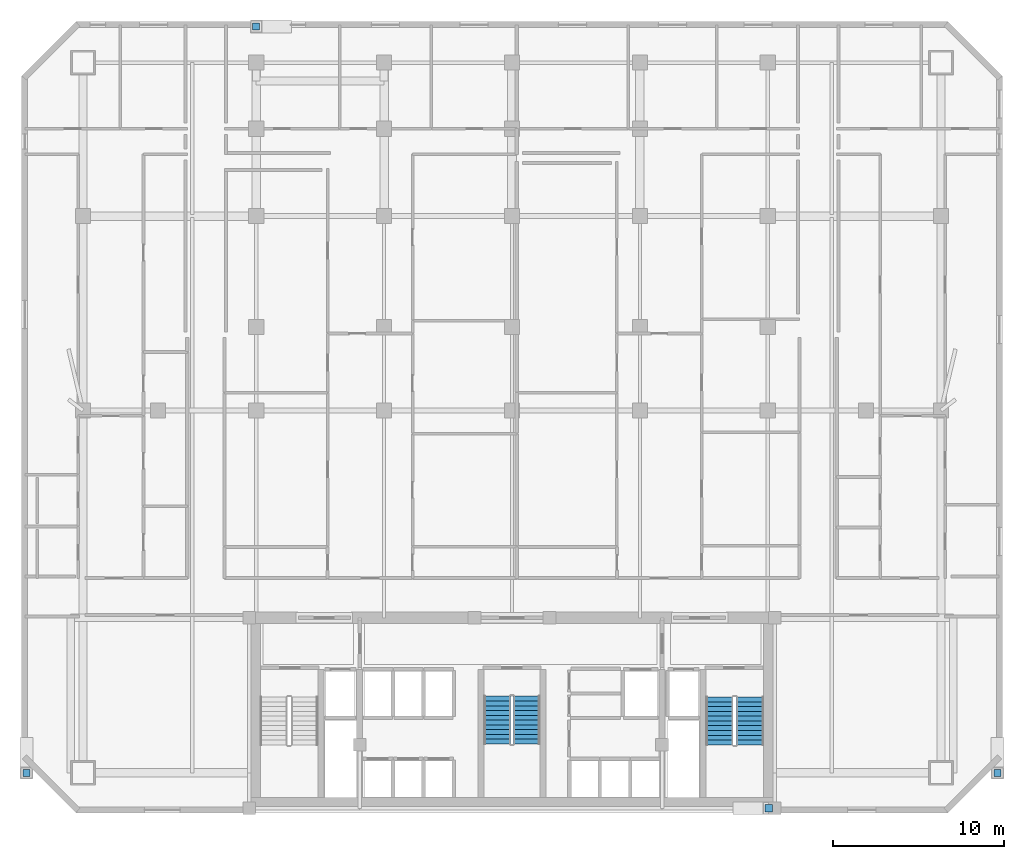
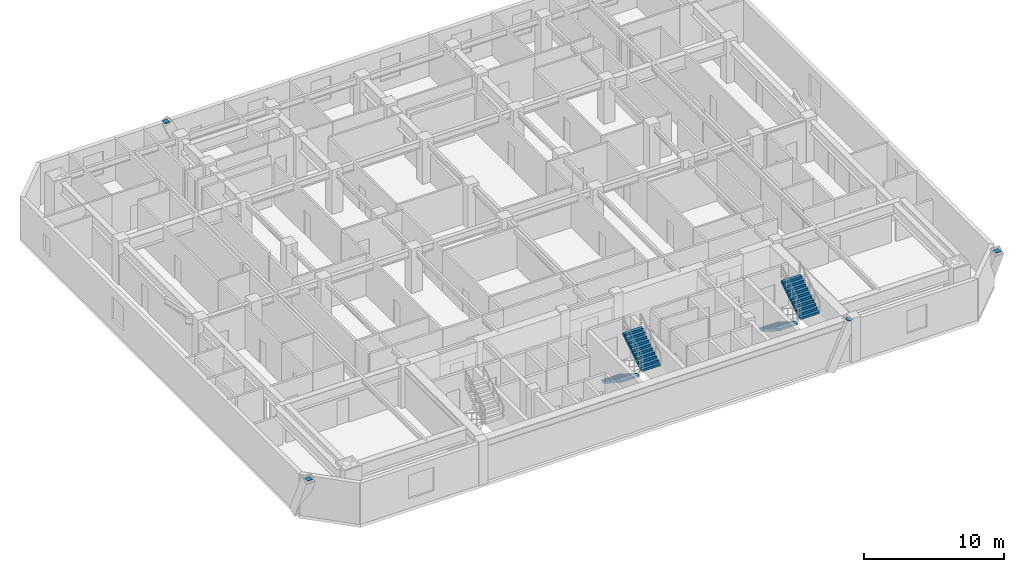
# One storey, part 9 of 10: 4 discrete accessories, 4 stair flights, 2 elements without a shape of their own.
"""IFC4 building model written with IfcOpenShell, lengths in metres."""

from ifc_helpers import new_model, si_unit, direction, frame, origin, origin_2d, place, context, subcontext, project, spatial, polyline, rectangle, outline, extrude, material, type_object, element, aggregate, save


model = new_model("IFC4")

# Units and contexts
model_context = context("Model", 3, precision=1e-05, world=origin(), true_north=direction((0.0, 1.0)))
body_context = subcontext(model_context, "Body", "Model", "MODEL_VIEW")
ifc_project = project(units=[si_unit("LENGTHUNIT", "METRE"), si_unit("AREAUNIT", "SQUARE_METRE"), si_unit("VOLUMEUNIT", "CUBIC_METRE"), si_unit("PLANEANGLEUNIT", "RADIAN"), si_unit("MASSUNIT", "GRAM", prefix="KILO")], contexts=[model_context])

# Site, building, storey
site_placement = place(None, origin())
site = spatial("IfcSite", under=ifc_project, at=site_placement, CompositionType="ELEMENT")
building_placement = place(site_placement, origin())
building = spatial("IfcBuilding", under=site, at=building_placement, Name="Ventersveld Concourse Tower", CompositionType="ELEMENT")
storey_placement = place(building_placement, frame((0.0, 0.0, 88.75)))
storey = spatial("IfcBuildingStorey", under=building, at=storey_placement, Name="L21", CompositionType="ELEMENT", Elevation=88.75)

# Stair, stair flights
ifc_material_1 = material(Name="Concrete C50/60", Category="concrete")
stair_type_1 = type_object("IfcStairType", Name="ST-DOG-155", PredefinedType="HALF_TURN_STAIR", material=ifc_material_1)
stair_1_placement = place(storey_placement, origin())
stair_1 = element("IfcStair", 1, at=stair_1_placement, inside=storey, type_object=stair_type_1, Name="L21 Protected Central Core Escape Stair ST-03", PredefinedType="HALF_TURN_STAIR")
stair_flight_type_1 = type_object("IfcStairFlightType", Name="STF-RC-155", PredefinedType="STRAIGHT", material=ifc_material_1)
stair_flight_1_placement = place(storey_placement, frame((27.875, 6.85009765625, 0.0), z_axis=(0.0, 0.0, 1.0), x_axis=(0.0, -1.0, 0.0)))
stair_flight_1 = element("IfcStairFlight", 2, at=stair_flight_1_placement, type_object=stair_flight_type_1, Name="ST-03 flight 1", NumberOfRisers=11, NumberOfTreads=10, PredefinedType="STRAIGHT", RiserHeight=0.175, TreadLength=0.28, context=body_context, shape_type="SweptSolid", body=[
    extrude(outline(polyline([(0.0, 0.0), (0.0, 0.175048828125), (0.280029296875, 0.175048828125), (0.280029296875, 0.35009765625), (0.56005859375, 0.35009765625), (0.56005859375, 0.52490234375), (0.840087890625, 0.52490234375), (0.840087890625, 0.699951171875), (1.1201171875, 0.699951171875), (1.1201171875, 0.875), (1.39990234375, 0.875), (1.39990234375, 1.050048828125), (1.679931640625, 1.050048828125), (1.679931640625, 1.22509765625), (1.9599609375, 1.22509765625), (1.9599609375, 1.39990234375), (2.239990234375, 1.39990234375), (2.239990234375, 1.574951171875), (2.52001953125, 1.574951171875), (2.52001953125, 1.75), (2.800048828125, 1.75), (2.800048828125, 1.925048828125), (2.800048828125, 1.5732421875), (0.28271484375, 0.0), (0.0, 0.0)])), frame((0.0, 0.77490234375, 0.0), z_axis=(0.0, -1.0, 0.0), x_axis=(1.0, 0.0, 0.0)), (0.0, 0.0, 1.0), 1.550048828125),
])
stair_flight_2_placement = place(storey_placement, frame((29.625, 4.050048828125, 1.925048828125), z_axis=(0.0, 0.0, 1.0), x_axis=(0.0, 1.0, 0.0)))
stair_flight_2 = element("IfcStairFlight", 3, at=stair_flight_2_placement, type_object=stair_flight_type_1, Name="ST-03 flight 2", NumberOfRisers=11, NumberOfTreads=10, PredefinedType="STRAIGHT", RiserHeight=0.175, TreadLength=0.28, context=body_context, shape_type="SweptSolid", body=[
    extrude(outline(polyline([(0.0, 0.0), (0.0, 0.175048828125), (0.280029296875, 0.175048828125), (0.280029296875, 0.35009765625), (0.56005859375, 0.35009765625), (0.56005859375, 0.52490234375), (0.840087890625, 0.52490234375), (0.840087890625, 0.699951171875), (1.1201171875, 0.699951171875), (1.1201171875, 0.875), (1.39990234375, 0.875), (1.39990234375, 1.050048828125), (1.679931640625, 1.050048828125), (1.679931640625, 1.22509765625), (1.9599609375, 1.22509765625), (1.9599609375, 1.39990234375), (2.239990234375, 1.39990234375), (2.239990234375, 1.574951171875), (2.52001953125, 1.574951171875), (2.52001953125, 1.75), (2.800048828125, 1.75), (2.800048828125, 1.925048828125), (2.800048828125, 1.5732421875), (0.28271484375, 0.0), (0.0, 0.0)])), frame((0.0, 0.77490234375, 0.0), z_axis=(0.0, -1.0, 0.0), x_axis=(1.0, 0.0, 0.0)), (0.0, 0.0, 1.0), 1.550048828125),
])
aggregate(stair_1, [stair_flight_1, stair_flight_2])

stair_type_2 = type_object("IfcStairType", Name="ST-DOG-160", PredefinedType="HALF_TURN_STAIR", material=ifc_material_1)
stair_2_placement = place(storey_placement, origin())
stair_2 = element("IfcStair", 4, at=stair_2_placement, inside=storey, type_object=stair_type_2, Name="L21 Protected Tower Escape Stair ST-02", PredefinedType="HALF_TURN_STAIR")
stair_flight_type_2 = type_object("IfcStairFlightType", Name="STF-RC-160", PredefinedType="STRAIGHT", material=ifc_material_1)
stair_flight_3_placement = place(storey_placement, frame((40.919921875, 6.800048828125, 0.0), z_axis=(0.0, 0.0, 1.0), x_axis=(0.0, -1.0, 0.0)))
stair_flight_3 = element("IfcStairFlight", 5, at=stair_flight_3_placement, type_object=stair_flight_type_2, Name="ST-02 flight 1", NumberOfRisers=11, NumberOfTreads=10, PredefinedType="STRAIGHT", RiserHeight=0.175, TreadLength=0.28, context=body_context, shape_type="SweptSolid", body=[
    extrude(outline(polyline([(0.0, 0.0), (0.0, 0.175048828125), (0.280029296875, 0.175048828125), (0.280029296875, 0.35009765625), (0.56005859375, 0.35009765625), (0.56005859375, 0.52490234375), (0.840087890625, 0.52490234375), (0.840087890625, 0.699951171875), (1.1201171875, 0.699951171875), (1.1201171875, 0.875), (1.39990234375, 0.875), (1.39990234375, 1.050048828125), (1.679931640625, 1.050048828125), (1.679931640625, 1.22509765625), (1.9599609375, 1.22509765625), (1.9599609375, 1.39990234375), (2.239990234375, 1.39990234375), (2.239990234375, 1.574951171875), (2.52001953125, 1.574951171875), (2.52001953125, 1.75), (2.800048828125, 1.75), (2.800048828125, 1.925048828125), (2.800048828125, 1.5732421875), (0.28271484375, 0.0), (0.0, 0.0)])), frame((0.0, 0.800048828125, 0.0), z_axis=(0.0, -1.0, 0.0), x_axis=(1.0, 0.0, 0.0)), (0.0, 0.0, 1.0), 1.60009765625),
])
stair_flight_4_placement = place(storey_placement, frame((42.719970703125, 4.0, 1.925048828125), z_axis=(0.0, 0.0, 1.0), x_axis=(0.0, 1.0, 0.0)))
stair_flight_4 = element("IfcStairFlight", 6, at=stair_flight_4_placement, type_object=stair_flight_type_2, Name="ST-02 flight 2", NumberOfRisers=11, NumberOfTreads=10, PredefinedType="STRAIGHT", RiserHeight=0.175, TreadLength=0.28, context=body_context, shape_type="SweptSolid", body=[
    extrude(outline(polyline([(0.0, 0.0), (0.0, 0.175048828125), (0.280029296875, 0.175048828125), (0.280029296875, 0.35009765625), (0.56005859375, 0.35009765625), (0.56005859375, 0.52490234375), (0.840087890625, 0.52490234375), (0.840087890625, 0.699951171875), (1.1201171875, 0.699951171875), (1.1201171875, 0.875), (1.39990234375, 0.875), (1.39990234375, 1.050048828125), (1.679931640625, 1.050048828125), (1.679931640625, 1.22509765625), (1.9599609375, 1.22509765625), (1.9599609375, 1.39990234375), (2.239990234375, 1.39990234375), (2.239990234375, 1.574951171875), (2.52001953125, 1.574951171875), (2.52001953125, 1.75), (2.800048828125, 1.75), (2.800048828125, 1.925048828125), (2.800048828125, 1.5732421875), (0.28271484375, 0.0), (0.0, 0.0)])), frame((0.0, 0.800048828125, 0.0), z_axis=(0.0, -1.0, 0.0), x_axis=(1.0, 0.0, 0.0)), (0.0, 0.0, 1.0), 1.60009765625),
])
aggregate(stair_2, [stair_flight_3, stair_flight_4])

# Discrete accessories
ifc_material_2 = material(Name="Structural steel S355J2", Category="steel")
discrete_accessory_type = type_object("IfcDiscreteAccessoryType", Name="CONN-BRACE-ECP1", PredefinedType="BRACKET", material=ifc_material_2)
for number, where, z_axis, x_axis, name in (
    (7, (13.75, 46.1201171875, 3.580078125), (0.0, 0.0, 1.0), (1.0, 0.0, 0.0), "L21 Steel Brace End Connection Plate ECP1-0252"),
    (8, (43.800048828125, 0.280029296875, 3.580078125), (0.0, 0.0, 1.0), (1.0, 0.0, 0.0), "L21 Steel Brace End Connection Plate ECP1-0256"),
    (9, (0.280029296875, 2.35009765625, 3.580078125), (0.0, 0.0, 1.0), (1.0, 0.0, 0.0), "L21 Steel Brace End Connection Plate ECP1-0260"),
    (10, (57.219970703125, 2.35009765625, 3.580078125), (0.0, 0.0, 1.0), (1.0, 0.0, 0.0), "L21 Steel Brace End Connection Plate ECP1-0264"),
):
    element("IfcDiscreteAccessory", number, at=place(storey_placement, frame(where, z_axis=z_axis, x_axis=x_axis)), inside=storey, type_object=discrete_accessory_type, Name=name, PredefinedType="BRACKET", context=body_context, shape_type="SweptSolid", body=[
        extrude(rectangle(XDim=0.419921875, YDim=0.419921875, at=origin_2d()), origin(), (0.0, 0.0, 1.0), 0.0400390625),
    ])

save(model, "model.ifc")
